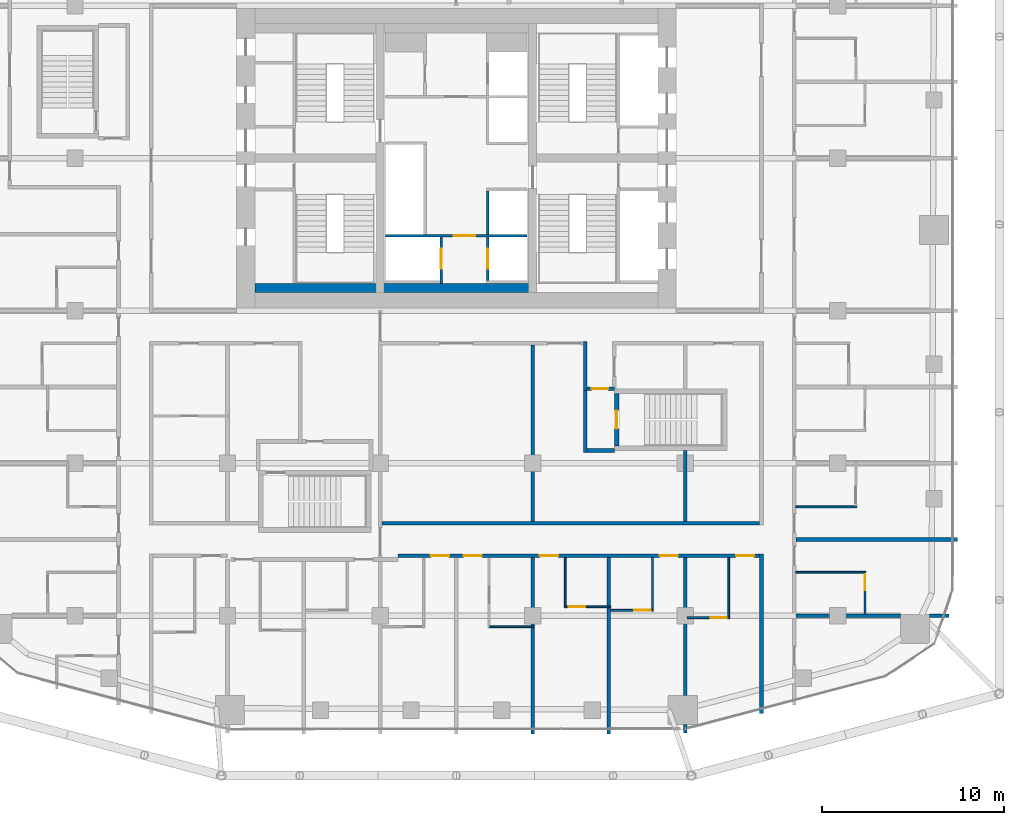
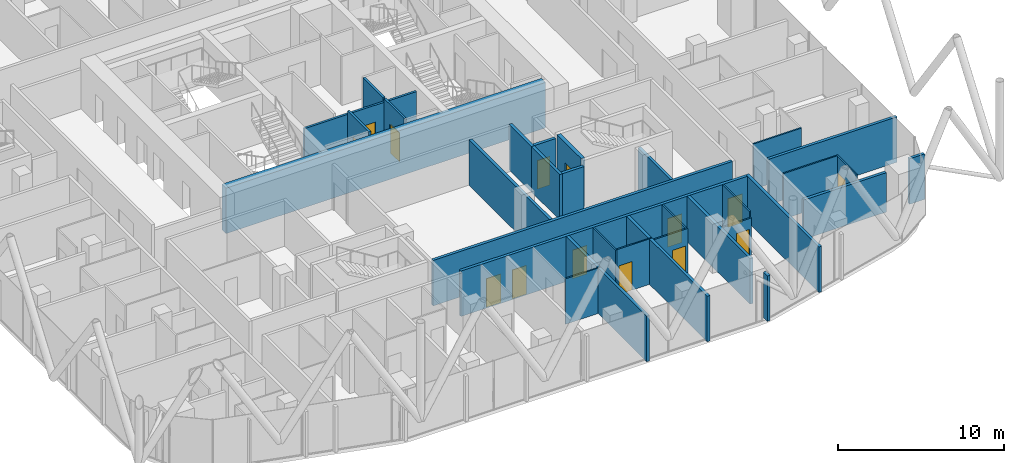
# One storey, part 26 of 33: 32 walls, 14 doors, 14 openings.
"""IFC4 building model written with IfcOpenShell, lengths in metres."""

from ifc_helpers import new_model, si_unit, direction, frame, frame_2d, origin, place, context, subcontext, project, spatial, rectangle, extrude, material, layer, layer_set, type_object, element, fill, save


model = new_model("IFC4")

# Units and contexts
model_context = context("Model", 3, precision=1e-05, world=origin(), true_north=direction((0.0, 1.0)))
body_context = subcontext(model_context, "Body", "Model", "MODEL_VIEW")
ifc_project = project(units=[si_unit("LENGTHUNIT", "METRE"), si_unit("AREAUNIT", "SQUARE_METRE"), si_unit("VOLUMEUNIT", "CUBIC_METRE"), si_unit("PLANEANGLEUNIT", "RADIAN"), si_unit("MASSUNIT", "GRAM", prefix="KILO")], contexts=[model_context])

# Site, building, storey
site_placement = place(None, origin())
site = spatial("IfcSite", under=ifc_project, at=site_placement, CompositionType="ELEMENT")
building_placement = place(site_placement, origin())
building = spatial("IfcBuilding", under=site, at=building_placement, Name="Marenta Gate Hotel Tower", CompositionType="ELEMENT")
storey_placement = place(building_placement, frame((0.0, 0.0, 108.5)))
storey = spatial("IfcBuildingStorey", under=building, at=storey_placement, Name="L23", CompositionType="ELEMENT", Elevation=108.5)

# Wall
ifc_material_1 = material(Name="Concrete C40", Category="concrete")
ifc_layer_1 = layer(ifc_material_1, 0.5)
ifc_layer_set_1 = layer_set([ifc_layer_1], Name="Concrete C40")
wall_type_1 = type_object("IfcWallType", Name="Core lining wall 500 REI 180", PredefinedType="PARTITIONING", material=ifc_layer_set_1)
wall_1_placement = place(storey_placement, frame((-11.10009765625, 1.25, 0.0), z_axis=(0.0, 0.0, 1.0), x_axis=(1.0, 0.0, 0.0)))
element("IfcWall", 1, at=wall_1_placement, inside=storey, type_object=wall_type_1, Name="L23-CP-LN-S", PredefinedType="PARTITIONING", context=body_context, shape_type="SweptSolid", body=[
    extrude(rectangle(XDim=22.2001953125, YDim=0.5, at=frame_2d((11.10009765625, 0.0))), origin(), (0.0, 0.0, 1.0), 3.340087890625),
])

# Wall, opening, door
ifc_material_2 = material(Name="Concrete blockwork", Category="masonry")
ifc_layer_2 = layer(ifc_material_2, 0.14990234375)
ifc_layer_set_2 = layer_set([ifc_layer_2], Name="Concrete blockwork")
wall_type_2 = type_object("IfcWallType", Name="Core lobby partition 150 REI 180", PredefinedType="PARTITIONING", material=ifc_layer_set_2)
wall_2_placement = place(storey_placement, frame((-3.89990234375, 4.125, 0.0), z_axis=(0.0, 0.0, 1.0), x_axis=(1.0, 0.0, 0.0)))
wall_2 = element("IfcWall", 2, at=wall_2_placement, inside=storey, type_object=wall_type_2, Name="L23-CP-CW-S", PredefinedType="PARTITIONING", context=body_context, shape_type="SweptSolid", body=[
    extrude(rectangle(XDim=7.7998046875, YDim=0.14990234375, at=frame_2d((3.89990234375, 0.0))), origin(), (0.0, 0.0, 1.0), 3.340087890625),
])
opening_1_placement = place(wall_2_placement, frame((3.75, 0.0, 0.0)))
opening_1 = element("IfcOpeningElement", 3, at=opening_1_placement, cuts=wall_2, Name="Opening FD-FFS", PredefinedType="OPENING", context=body_context, shape_type="SweptSolid", body=[
    extrude(rectangle(XDim=1.199951171875, YDim=2.10009765625, at=frame_2d((0.60009765625, 1.050048828125))), frame((0.0, 0.074951171875, 0.0), z_axis=(0.0, -1.0, 0.0), x_axis=(1.0, 0.0, 0.0)), (0.0, 0.0, 1.0), 0.14990234375),
])
ifc_material_3 = material(Name="Steel", Category="steel")
door_type_1 = type_object("IfcDoorType", Name="Core lobby door 1200x2100 FD60", OperationType="SINGLE_SWING_LEFT", PredefinedType="DOOR", material=ifc_material_3)
door_1_placement = place(opening_1_placement, origin())
door_1 = element("IfcDoor", 4, at=door_1_placement, inside=storey, type_object=door_type_1, Name="FD-FFS", OperationType="SINGLE_SWING_LEFT", OverallHeight=2.10009765625, OverallWidth=1.199951171875, PredefinedType="DOOR", context=body_context, shape_type="SweptSolid", body=[
    extrude(rectangle(XDim=1.199951171875, YDim=2.10009765625, at=frame_2d((0.60009765625, 1.050048828125))), frame((0.0, 0.02490234375, 0.0), z_axis=(0.0, -1.0, 0.0), x_axis=(1.0, 0.0, 0.0)), (0.0, 0.0, 1.0), 0.050048828125),
])
fill(opening_1, door_1)

ifc_material_4 = material(Name="Concrete C40", Category="concrete")
ifc_layer_3 = layer(ifc_material_4, 0.14990234375)
ifc_layer_set_3 = layer_set([ifc_layer_3], Name="Concrete C40")
wall_type_3 = type_object("IfcWallType", Name="Core shaft wall 150 REI 180", PredefinedType="SHEAR", material=ifc_layer_set_3)
wall_3_placement = place(storey_placement, frame((-0.824951171875, 1.5, 0.0), z_axis=(0.0, 0.0, 1.0), x_axis=(0.0, 1.0, 0.0)))
wall_3 = element("IfcWall", 5, at=wall_3_placement, inside=storey, type_object=wall_type_3, Name="L23-SHF-CW-W-ff", PredefinedType="SHEAR", context=body_context, shape_type="SweptSolid", body=[
    extrude(rectangle(XDim=2.550048828125, YDim=0.14990234375, at=frame_2d((1.27490234375, 0.0))), origin(), (0.0, 0.0, 1.0), 3.60009765625),
])
opening_2_placement = place(wall_3_placement, frame((0.800048828125, 0.0, 0.0)))
opening_2 = element("IfcOpeningElement", 6, at=opening_2_placement, cuts=wall_3, Name="Opening LD-FF1", PredefinedType="OPENING", context=body_context, shape_type="SweptSolid", body=[
    extrude(rectangle(XDim=1.10009765625, YDim=2.10009765625, at=frame_2d((0.550048828125, 1.050048828125))), frame((0.0, 0.074951171875, 0.0), z_axis=(0.0, -1.0, 0.0), x_axis=(1.0, 0.0, 0.0)), (0.0, 0.0, 1.0), 0.14990234375),
])
ifc_material_5 = material(Name="Steel", Category="steel")
door_type_2 = type_object("IfcDoorType", Name="Core lift landing door 1100x2100 E 60", OperationType="SLIDING_TO_LEFT", PredefinedType="DOOR", material=ifc_material_5)
door_2_placement = place(opening_2_placement, origin())
door_2 = element("IfcDoor", 7, at=door_2_placement, inside=storey, type_object=door_type_2, Name="LD-FF1", OperationType="SLIDING_TO_LEFT", OverallHeight=2.10009765625, OverallWidth=1.10009765625, PredefinedType="DOOR", context=body_context, shape_type="SweptSolid", body=[
    extrude(rectangle(XDim=1.10009765625, YDim=2.10009765625, at=frame_2d((0.550048828125, 1.050048828125))), frame((0.0, 0.02490234375, 0.0), z_axis=(0.0, -1.0, 0.0), x_axis=(1.0, 0.0, 0.0)), (0.0, 0.0, 1.0), 0.050048828125),
])
fill(opening_2, door_2)

wall_4_placement = place(storey_placement, frame((1.72509765625, 1.64990234375, 0.0), z_axis=(0.0, 0.0, 1.0), x_axis=(0.0, 1.0, 0.0)))
wall_4 = element("IfcWall", 8, at=wall_4_placement, inside=storey, type_object=wall_type_3, Name="L23-SHF-CE-S-ls", PredefinedType="SHEAR", context=body_context, shape_type="SweptSolid", body=[
    extrude(rectangle(XDim=2.400146484375, YDim=0.14990234375, at=frame_2d((1.2001953125, 0.0))), origin(), (0.0, 0.0, 1.0), 3.60009765625),
])
opening_3_placement = place(wall_4_placement, frame((0.64990234375, 0.0, 0.0)))
opening_3 = element("IfcOpeningElement", 9, at=opening_3_placement, cuts=wall_4, Name="Opening LD-SV1", PredefinedType="OPENING", context=body_context, shape_type="SweptSolid", body=[
    extrude(rectangle(XDim=1.10009765625, YDim=2.10009765625, at=frame_2d((0.550048828125, 1.050048828125))), frame((0.0, 0.074951171875, 0.0), z_axis=(0.0, -1.0, 0.0), x_axis=(1.0, 0.0, 0.0)), (0.0, 0.0, 1.0), 0.14990234375),
])
door_3_placement = place(opening_3_placement, origin())
door_3 = element("IfcDoor", 10, at=door_3_placement, inside=storey, type_object=door_type_2, Name="LD-SV1", OperationType="SLIDING_TO_LEFT", OverallHeight=2.10009765625, OverallWidth=1.10009765625, PredefinedType="DOOR", context=body_context, shape_type="SweptSolid", body=[
    extrude(rectangle(XDim=1.10009765625, YDim=2.10009765625, at=frame_2d((0.550048828125, 1.050048828125))), frame((0.0, 0.02490234375, 0.0), z_axis=(0.0, -1.0, 0.0), x_axis=(1.0, 0.0, 0.0)), (0.0, 0.0, 1.0), 0.050048828125),
])
fill(opening_3, door_3)

# Wall
wall_5_placement = place(storey_placement, frame((1.72509765625, 4.199951171875, 0.0), z_axis=(0.0, 0.0, 1.0), x_axis=(0.0, 1.0, 0.0)))
element("IfcWall", 11, at=wall_5_placement, inside=storey, type_object=wall_type_3, Name="L23-SHF-CE-front-1", PredefinedType="SHEAR", context=body_context, shape_type="SweptSolid", body=[
    extrude(rectangle(XDim=2.400146484375, YDim=0.14990234375, at=frame_2d((1.2001953125, 0.0))), origin(), (0.0, 0.0, 1.0), 3.60009765625),
])

# Wall, opening, door
ifc_material_6 = material(Name="Concrete C40", Category="concrete")
ifc_layer_4 = layer(ifc_material_6, 0.25)
ifc_layer_set_4 = layer_set([ifc_layer_4], Name="Concrete C40")
wall_type_4 = type_object("IfcWallType", Name="Remote stair enclosure wall 250 REI 180", PredefinedType="SHEAR", material=ifc_layer_set_4)
wall_6_placement = place(storey_placement, frame((8.824951171875, -7.449951171875, 0.10009765625), z_axis=(0.0, 0.0, 1.0), x_axis=(0.0, 1.0, 0.0)))
wall_6 = element("IfcWall", 12, at=wall_6_placement, inside=storey, type_object=wall_type_4, Name="L23-RS-Z2-2-W3", PredefinedType="SHEAR", context=body_context, shape_type="SweptSolid", body=[
    extrude(rectangle(XDim=2.89990234375, YDim=0.25, at=frame_2d((1.449951171875, 0.0))), origin(), (0.0, 0.0, 1.0), 3.599853515625),
])
opening_4_placement = place(wall_6_placement, frame((0.949951171875, 0.0, 0.0)))
opening_4 = element("IfcOpeningElement", 13, at=opening_4_placement, cuts=wall_6, Name="Opening VD", PredefinedType="OPENING", context=body_context, shape_type="SweptSolid", body=[
    extrude(rectangle(XDim=1.0, YDim=2.10009765625, at=frame_2d((0.5, 1.050048828125))), frame((0.0, 0.125, 0.0), z_axis=(0.0, -1.0, 0.0), x_axis=(1.0, 0.0, 0.0)), (0.0, 0.0, 1.0), 0.25),
])
ifc_material_7 = material(Name="Steel", Category="steel")
door_type_3 = type_object("IfcDoorType", Name="Stair vestibule door 1000x2100 FD60", OperationType="SINGLE_SWING_LEFT", PredefinedType="DOOR", material=ifc_material_7)
door_4_placement = place(opening_4_placement, origin())
door_4 = element("IfcDoor", 14, at=door_4_placement, inside=storey, type_object=door_type_3, Name="VD", OperationType="SINGLE_SWING_LEFT", OverallHeight=2.10009765625, OverallWidth=1.0, PredefinedType="DOOR", context=body_context, shape_type="SweptSolid", body=[
    extrude(rectangle(XDim=1.0, YDim=2.10009765625, at=frame_2d((0.5, 1.050048828125))), frame((0.0, 0.02490234375, 0.0), z_axis=(0.0, -1.0, 0.0), x_axis=(1.0, 0.0, 0.0)), (0.0, 0.0, 1.0), 0.050048828125),
])
fill(opening_4, door_4)

# Wall
ifc_material_8 = material(Name="Gypsum board on steel stud", Category="steel")
ifc_layer_5 = layer(ifc_material_8, 0.199951171875)
ifc_layer_set_5 = layer_set([ifc_layer_5], Name="Gypsum board on steel stud")
wall_type_5 = type_object("IfcWallType", Name="Room corridor wall 200 EI 60", PredefinedType="PARTITIONING", material=ifc_layer_set_5)
wall_7_placement = place(storey_placement, frame((16.800048828125, -22.18603515625, 0.0), z_axis=(0.0, 0.0, 1.0), x_axis=(0.0, 1.0, 0.0)))
element("IfcWall", 15, at=wall_7_placement, inside=storey, type_object=wall_type_5, Name="L23-PTN-W016", PredefinedType="PARTITIONING", context=body_context, shape_type="SweptSolid", body=[
    extrude(rectangle(XDim=8.7861328125, YDim=0.199951171875, at=frame_2d((4.39306640625, 0.0))), origin(), (0.0, 0.0, 1.0), 3.340087890625),
])

# Wall, openings, doors
wall_8_placement = place(storey_placement, frame((-3.199951171875, -13.5, 0.0), z_axis=(0.0, 0.0, 1.0), x_axis=(1.0, 0.0, 0.0)))
wall_8 = element("IfcWall", 16, at=wall_8_placement, inside=storey, type_object=wall_type_5, Name="L23-PTN-W030", PredefinedType="PARTITIONING", context=body_context, shape_type="SweptSolid", body=[
    extrude(rectangle(XDim=19.89990234375, YDim=0.199951171875, at=frame_2d((9.949951171875, 0.0))), origin(), (0.0, 0.0, 1.0), 3.340087890625),
])
opening_5_placement = place(wall_8_placement, frame((1.800048828125, 0.0, 0.0)))
opening_5 = element("IfcOpeningElement", 17, at=opening_5_placement, cuts=wall_8, Name="Opening G08-43", PredefinedType="OPENING", context=body_context, shape_type="SweptSolid", body=[
    extrude(rectangle(XDim=1.0, YDim=2.10009765625, at=frame_2d((0.5, 1.050048828125))), frame((0.0, 0.10009765625, 0.0), z_axis=(0.0, -1.0, 0.0), x_axis=(1.0, 0.0, 0.0)), (0.0, 0.0, 1.0), 0.199951171875),
])
opening_6_placement = place(wall_8_placement, frame((3.60009765625, 0.0, 0.0)))
opening_6 = element("IfcOpeningElement", 18, at=opening_6_placement, cuts=wall_8, Name="Opening G08-45", PredefinedType="OPENING", context=body_context, shape_type="SweptSolid", body=[
    extrude(rectangle(XDim=1.0, YDim=2.10009765625, at=frame_2d((0.5, 1.050048828125))), frame((0.0, 0.10009765625, 0.0), z_axis=(0.0, -1.0, 0.0), x_axis=(1.0, 0.0, 0.0)), (0.0, 0.0, 1.0), 0.199951171875),
])
opening_7_placement = place(wall_8_placement, frame((7.800048828125, 0.0, 0.0)))
opening_7 = element("IfcOpeningElement", 19, at=opening_7_placement, cuts=wall_8, Name="Opening G08-47", PredefinedType="OPENING", context=body_context, shape_type="SweptSolid", body=[
    extrude(rectangle(XDim=1.0, YDim=2.10009765625, at=frame_2d((0.5, 1.050048828125))), frame((0.0, 0.10009765625, 0.0), z_axis=(0.0, -1.0, 0.0), x_axis=(1.0, 0.0, 0.0)), (0.0, 0.0, 1.0), 0.199951171875),
])
opening_8_placement = place(wall_8_placement, frame((14.39990234375, 0.0, 0.0)))
opening_8 = element("IfcOpeningElement", 20, at=opening_8_placement, cuts=wall_8, Name="Opening G08-49", PredefinedType="OPENING", context=body_context, shape_type="SweptSolid", body=[
    extrude(rectangle(XDim=1.0, YDim=2.10009765625, at=frame_2d((0.5, 1.050048828125))), frame((0.0, 0.10009765625, 0.0), z_axis=(0.0, -1.0, 0.0), x_axis=(1.0, 0.0, 0.0)), (0.0, 0.0, 1.0), 0.199951171875),
])
opening_9_placement = place(wall_8_placement, frame((18.60009765625, 0.0, 0.0)))
opening_9 = element("IfcOpeningElement", 21, at=opening_9_placement, cuts=wall_8, Name="Opening G08-51", PredefinedType="OPENING", context=body_context, shape_type="SweptSolid", body=[
    extrude(rectangle(XDim=1.0, YDim=2.10009765625, at=frame_2d((0.5, 1.050048828125))), frame((0.0, 0.10009765625, 0.0), z_axis=(0.0, -1.0, 0.0), x_axis=(1.0, 0.0, 0.0)), (0.0, 0.0, 1.0), 0.199951171875),
])
ifc_material_9 = material(Name="Timber door leaf", Category="wood")
door_type_4 = type_object("IfcDoorType", Name="Guest room door 1000x2100 EI 30", OperationType="NOTDEFINED", PredefinedType="DOOR", material=ifc_material_9)
door_5_placement = place(opening_5_placement, origin())
door_5 = element("IfcDoor", 22, at=door_5_placement, inside=storey, type_object=door_type_4, Name="L23-PD-D043", OperationType="SINGLE_SWING_LEFT", OverallHeight=2.10009765625, OverallWidth=1.0, PredefinedType="DOOR", context=body_context, shape_type="SweptSolid", body=[
    extrude(rectangle(XDim=1.0, YDim=2.10009765625, at=frame_2d((0.5, 1.050048828125))), frame((0.0, 0.02490234375, 0.0), z_axis=(0.0, -1.0, 0.0), x_axis=(1.0, 0.0, 0.0)), (0.0, 0.0, 1.0), 0.050048828125),
])
fill(opening_5, door_5)
door_6_placement = place(opening_6_placement, origin())
door_6 = element("IfcDoor", 23, at=door_6_placement, inside=storey, type_object=door_type_4, Name="L23-PD-D045", OperationType="SINGLE_SWING_LEFT", OverallHeight=2.10009765625, OverallWidth=1.0, PredefinedType="DOOR", context=body_context, shape_type="SweptSolid", body=[
    extrude(rectangle(XDim=1.0, YDim=2.10009765625, at=frame_2d((0.5, 1.050048828125))), frame((0.0, 0.02490234375, 0.0), z_axis=(0.0, -1.0, 0.0), x_axis=(1.0, 0.0, 0.0)), (0.0, 0.0, 1.0), 0.050048828125),
])
fill(opening_6, door_6)
door_7_placement = place(opening_7_placement, origin())
door_7 = element("IfcDoor", 24, at=door_7_placement, inside=storey, type_object=door_type_4, Name="L23-PD-D047", OperationType="SINGLE_SWING_LEFT", OverallHeight=2.10009765625, OverallWidth=1.0, PredefinedType="DOOR", context=body_context, shape_type="SweptSolid", body=[
    extrude(rectangle(XDim=1.0, YDim=2.10009765625, at=frame_2d((0.5, 1.050048828125))), frame((0.0, 0.02490234375, 0.0), z_axis=(0.0, -1.0, 0.0), x_axis=(1.0, 0.0, 0.0)), (0.0, 0.0, 1.0), 0.050048828125),
])
fill(opening_7, door_7)
door_8_placement = place(opening_8_placement, origin())
door_8 = element("IfcDoor", 25, at=door_8_placement, inside=storey, type_object=door_type_4, Name="L23-PD-D049", OperationType="SINGLE_SWING_LEFT", OverallHeight=2.10009765625, OverallWidth=1.0, PredefinedType="DOOR", context=body_context, shape_type="SweptSolid", body=[
    extrude(rectangle(XDim=1.0, YDim=2.10009765625, at=frame_2d((0.5, 1.050048828125))), frame((0.0, 0.02490234375, 0.0), z_axis=(0.0, -1.0, 0.0), x_axis=(1.0, 0.0, 0.0)), (0.0, 0.0, 1.0), 0.050048828125),
])
fill(opening_8, door_8)
door_9_placement = place(opening_9_placement, origin())
door_9 = element("IfcDoor", 26, at=door_9_placement, inside=storey, type_object=door_type_4, Name="L23-PD-D051", OperationType="SINGLE_SWING_LEFT", OverallHeight=2.10009765625, OverallWidth=1.0, PredefinedType="DOOR", context=body_context, shape_type="SweptSolid", body=[
    extrude(rectangle(XDim=1.0, YDim=2.10009765625, at=frame_2d((0.5, 1.050048828125))), frame((0.0, 0.02490234375, 0.0), z_axis=(0.0, -1.0, 0.0), x_axis=(1.0, 0.0, 0.0)), (0.0, 0.0, 1.0), 0.050048828125),
])
fill(opening_9, door_9)

# Walls
wall_9_placement = place(storey_placement, frame((-4.10009765625, -11.699951171875, 0.0), z_axis=(0.0, 0.0, 1.0), x_axis=(1.0, 0.0, 0.0)))
element("IfcWall", 27, at=wall_9_placement, inside=storey, type_object=wall_type_5, Name="L23-PTN-W038", PredefinedType="PARTITIONING", context=body_context, shape_type="SweptSolid", body=[
    extrude(rectangle(XDim=20.800048828125, YDim=0.199951171875, at=frame_2d((10.39990234375, 0.0))), origin(), (0.0, 0.0, 1.0), 3.340087890625),
])
wall_10_placement = place(storey_placement, frame((7.10009765625, -4.39990234375, 0.0), z_axis=(0.0, 0.0, 1.0), x_axis=(0.0, 1.0, 0.0)))
element("IfcWall", 28, at=wall_10_placement, inside=storey, type_object=wall_type_5, Name="L23-PTN-W052", PredefinedType="PARTITIONING", context=body_context, shape_type="SweptSolid", body=[
    extrude(rectangle(XDim=2.699951171875, YDim=0.199951171875, at=frame_2d((1.35009765625, 0.0))), origin(), (0.0, 0.0, 1.0), 3.340087890625),
])

# Wall, opening, door
ifc_material_10 = material(Name="Concrete blockwork", Category="masonry")
ifc_layer_6 = layer(ifc_material_10, 0.199951171875)
ifc_layer_set_6 = layer_set([ifc_layer_6], Name="Concrete blockwork")
wall_type_6 = type_object("IfcWallType", Name="Room corridor wall 200 REI 180", PredefinedType="PARTITIONING", material=ifc_layer_set_6)
wall_11_placement = place(storey_placement, frame((7.199951171875, -4.300048828125, 0.0), z_axis=(0.0, 0.0, 1.0), x_axis=(1.0, 0.0, 0.0)))
wall_11 = element("IfcWall", 29, at=wall_11_placement, inside=storey, type_object=wall_type_6, Name="L23-PTN-W057", PredefinedType="PARTITIONING", context=body_context, shape_type="SweptSolid", body=[
    extrude(rectangle(XDim=1.5, YDim=0.199951171875, at=frame_2d((0.75, 0.0))), origin(), (0.0, 0.0, 1.0), 3.340087890625),
])
opening_10_placement = place(wall_11_placement, frame((0.25, 0.0, 0.0)))
opening_10 = element("IfcOpeningElement", 30, at=opening_10_placement, cuts=wall_11, Name="Opening G08-68", PredefinedType="OPENING", context=body_context, shape_type="SweptSolid", body=[
    extrude(rectangle(XDim=0.89990234375, YDim=2.10009765625, at=frame_2d((0.449951171875, 1.050048828125))), frame((0.0, 0.10009765625, 0.0), z_axis=(0.0, -1.0, 0.0), x_axis=(1.0, 0.0, 0.0)), (0.0, 0.0, 1.0), 0.199951171875),
])
ifc_material_11 = material(Name="Hollow steel door set", Category="steel")
door_type_5 = type_object("IfcDoorType", Name="Stair vestibule door 900x2100 EI 60", OperationType="NOTDEFINED", PredefinedType="DOOR", material=ifc_material_11)
door_10_placement = place(opening_10_placement, origin())
door_10 = element("IfcDoor", 31, at=door_10_placement, inside=storey, type_object=door_type_5, Name="L23-PD-D068", OperationType="SINGLE_SWING_RIGHT", OverallHeight=2.10009765625, OverallWidth=0.89990234375, PredefinedType="DOOR", context=body_context, shape_type="SweptSolid", body=[
    extrude(rectangle(XDim=0.89990234375, YDim=2.10009765625, at=frame_2d((0.449951171875, 1.050048828125))), frame((0.0, 0.02490234375, 0.0), z_axis=(0.0, -1.0, 0.0), x_axis=(1.0, 0.0, 0.0)), (0.0, 0.0, 1.0), 0.050048828125),
])
fill(opening_10, door_10)

ifc_material_12 = material(Name="Gypsum board on steel stud", Category="steel")
ifc_layer_7 = layer(ifc_material_12, 0.10009765625)
ifc_layer_set_7 = layer_set([ifc_layer_7], Name="Gypsum board on steel stud")
wall_type_7 = type_object("IfcWallType", Name="Room partition 100", PredefinedType="PARTITIONING", material=ifc_layer_set_7)
wall_12_placement = place(storey_placement, frame((22.5, -16.699951171875, 0.0), z_axis=(0.0, 0.0, 1.0), x_axis=(0.0, 1.0, 0.0)))
wall_12 = element("IfcWall", 32, at=wall_12_placement, inside=storey, type_object=wall_type_7, Name="L23-PTN-W001", PredefinedType="PARTITIONING", context=body_context, shape_type="SweptSolid", body=[
    extrude(rectangle(XDim=2.349853515625, YDim=0.10009765625, at=frame_2d((1.1748046875, 0.0))), origin(), (0.0, 0.0, 1.0), 3.340087890625),
])
opening_11_placement = place(wall_12_placement, frame((1.300048828125, 0.0, 0.0)))
opening_11 = element("IfcOpeningElement", 33, at=opening_11_placement, cuts=wall_12, Name="Opening G08-09", PredefinedType="OPENING", context=body_context, shape_type="SweptSolid", body=[
    extrude(rectangle(XDim=0.89990234375, YDim=2.10009765625, at=frame_2d((0.449951171875, 1.050048828125))), frame((0.0, 0.050048828125, 0.0), z_axis=(0.0, -1.0, 0.0), x_axis=(1.0, 0.0, 0.0)), (0.0, 0.0, 1.0), 0.10009765625),
])
ifc_material_13 = material(Name="Timber door leaf", Category="wood")
door_type_6 = type_object("IfcDoorType", Name="Guest bathroom door 900x2100", OperationType="NOTDEFINED", PredefinedType="DOOR", material=ifc_material_13)
door_11_placement = place(opening_11_placement, origin())
door_11 = element("IfcDoor", 34, at=door_11_placement, inside=storey, type_object=door_type_6, Name="L23-PD-D009", OperationType="SINGLE_SWING_RIGHT", OverallHeight=2.10009765625, OverallWidth=0.89990234375, PredefinedType="DOOR", context=body_context, shape_type="SweptSolid", body=[
    extrude(rectangle(XDim=0.89990234375, YDim=2.10009765625, at=frame_2d((0.449951171875, 1.050048828125))), frame((0.0, 0.02490234375, 0.0), z_axis=(0.0, -1.0, 0.0), x_axis=(1.0, 0.0, 0.0)), (0.0, 0.0, 1.0), 0.050048828125),
])
fill(opening_11, door_11)

# Wall
wall_13_placement = place(storey_placement, frame((1.85009765625, -17.39990234375, 0.0), z_axis=(0.0, 0.0, 1.0), x_axis=(1.0, 0.0, 0.0)))
element("IfcWall", 35, at=wall_13_placement, inside=storey, type_object=wall_type_7, Name="L23-PTN-W014", PredefinedType="PARTITIONING", context=body_context, shape_type="SweptSolid", body=[
    extrude(rectangle(XDim=2.449951171875, YDim=0.10009765625, at=frame_2d((1.22509765625, 0.0))), origin(), (0.0, 0.0, 1.0), 3.340087890625),
])

# Wall, opening, door
wall_14_placement = place(storey_placement, frame((12.699951171875, -16.89990234375, 0.0), z_axis=(0.0, 0.0, 1.0), x_axis=(1.0, 0.0, 0.0)))
wall_14 = element("IfcWall", 36, at=wall_14_placement, inside=storey, type_object=wall_type_7, Name="L23-PTN-W015", PredefinedType="PARTITIONING", context=body_context, shape_type="SweptSolid", body=[
    extrude(rectangle(XDim=2.35009765625, YDim=0.10009765625, at=frame_2d((1.175048828125, 0.0))), origin(), (0.0, 0.0, 1.0), 2.889892578125),
])
opening_12_placement = place(wall_14_placement, frame((1.300048828125, 0.0, 0.0)))
opening_12 = element("IfcOpeningElement", 37, at=opening_12_placement, cuts=wall_14, Name="Opening G08-52", PredefinedType="OPENING", context=body_context, shape_type="SweptSolid", body=[
    extrude(rectangle(XDim=0.89990234375, YDim=2.10009765625, at=frame_2d((0.449951171875, 1.050048828125))), frame((0.0, 0.050048828125, 0.0), z_axis=(0.0, -1.0, 0.0), x_axis=(1.0, 0.0, 0.0)), (0.0, 0.0, 1.0), 0.10009765625),
])
door_12_placement = place(opening_12_placement, origin())
door_12 = element("IfcDoor", 38, at=door_12_placement, inside=storey, type_object=door_type_6, Name="L23-PD-D052", OperationType="SINGLE_SWING_RIGHT", OverallHeight=2.10009765625, OverallWidth=0.89990234375, PredefinedType="DOOR", context=body_context, shape_type="SweptSolid", body=[
    extrude(rectangle(XDim=0.89990234375, YDim=2.10009765625, at=frame_2d((0.449951171875, 1.050048828125))), frame((0.0, 0.02490234375, 0.0), z_axis=(0.0, -1.0, 0.0), x_axis=(1.0, 0.0, 0.0)), (0.0, 0.0, 1.0), 0.050048828125),
])
fill(opening_12, door_12)

wall_15_placement = place(storey_placement, frame((8.5, -16.5, 0.0), z_axis=(0.0, 0.0, 1.0), x_axis=(1.0, 0.0, 0.0)))
wall_15 = element("IfcWall", 39, at=wall_15_placement, inside=storey, type_object=wall_type_7, Name="L23-PTN-W022", PredefinedType="PARTITIONING", context=body_context, shape_type="SweptSolid", body=[
    extrude(rectangle(XDim=2.35009765625, YDim=0.10009765625, at=frame_2d((1.175048828125, 0.0))), origin(), (0.0, 0.0, 1.0), 3.340087890625),
])
opening_13_placement = place(wall_15_placement, frame((1.300048828125, 0.0, 0.0)))
opening_13 = element("IfcOpeningElement", 40, at=opening_13_placement, cuts=wall_15, Name="Opening G08-50", PredefinedType="OPENING", context=body_context, shape_type="SweptSolid", body=[
    extrude(rectangle(XDim=0.89990234375, YDim=2.10009765625, at=frame_2d((0.449951171875, 1.050048828125))), frame((0.0, 0.050048828125, 0.0), z_axis=(0.0, -1.0, 0.0), x_axis=(1.0, 0.0, 0.0)), (0.0, 0.0, 1.0), 0.10009765625),
])
door_13_placement = place(opening_13_placement, origin())
door_13 = element("IfcDoor", 41, at=door_13_placement, inside=storey, type_object=door_type_6, Name="L23-PD-D050", OperationType="SINGLE_SWING_RIGHT", OverallHeight=2.10009765625, OverallWidth=0.89990234375, PredefinedType="DOOR", context=body_context, shape_type="SweptSolid", body=[
    extrude(rectangle(XDim=0.89990234375, YDim=2.10009765625, at=frame_2d((0.449951171875, 1.050048828125))), frame((0.0, 0.02490234375, 0.0), z_axis=(0.0, -1.0, 0.0), x_axis=(1.0, 0.0, 0.0)), (0.0, 0.0, 1.0), 0.050048828125),
])
fill(opening_13, door_13)

wall_16_placement = place(storey_placement, frame((6.050048828125, -16.300048828125, 0.0), z_axis=(0.0, 0.0, 1.0), x_axis=(1.0, 0.0, 0.0)))
wall_16 = element("IfcWall", 42, at=wall_16_placement, inside=storey, type_object=wall_type_7, Name="L23-PTN-W023", PredefinedType="PARTITIONING", context=body_context, shape_type="SweptSolid", body=[
    extrude(rectangle(XDim=2.449951171875, YDim=0.10009765625, at=frame_2d((1.22509765625, 0.0))), origin(), (0.0, 0.0, 1.0), 3.340087890625),
])
opening_14_placement = place(wall_16_placement, frame((0.14990234375, 0.0, 0.0)))
opening_14 = element("IfcOpeningElement", 43, at=opening_14_placement, cuts=wall_16, Name="Opening G08-48", PredefinedType="OPENING", context=body_context, shape_type="SweptSolid", body=[
    extrude(rectangle(XDim=0.89990234375, YDim=2.10009765625, at=frame_2d((0.449951171875, 1.050048828125))), frame((0.0, 0.050048828125, 0.0), z_axis=(0.0, -1.0, 0.0), x_axis=(1.0, 0.0, 0.0)), (0.0, 0.0, 1.0), 0.10009765625),
])
door_14_placement = place(opening_14_placement, origin())
door_14 = element("IfcDoor", 44, at=door_14_placement, inside=storey, type_object=door_type_6, Name="L23-PD-D048", OperationType="SINGLE_SWING_LEFT", OverallHeight=2.10009765625, OverallWidth=0.89990234375, PredefinedType="DOOR", context=body_context, shape_type="SweptSolid", body=[
    extrude(rectangle(XDim=0.89990234375, YDim=2.10009765625, at=frame_2d((0.449951171875, 1.050048828125))), frame((0.0, 0.02490234375, 0.0), z_axis=(0.0, -1.0, 0.0), x_axis=(1.0, 0.0, 0.0)), (0.0, 0.0, 1.0), 0.050048828125),
])
fill(opening_14, door_14)

# Walls
wall_17_placement = place(storey_placement, frame((15.0, -16.85009765625, 0.0), z_axis=(0.0, 0.0, 1.0), x_axis=(0.0, 1.0, 0.0)))
element("IfcWall", 45, at=wall_17_placement, inside=storey, type_object=wall_type_7, Name="L23-PTN-W024", PredefinedType="PARTITIONING", context=body_context, shape_type="SweptSolid", body=[
    extrude(rectangle(XDim=3.25, YDim=0.10009765625, at=frame_2d((1.625, 0.0))), origin(), (0.0, 0.0, 1.0), 3.340087890625),
])
wall_18_placement = place(storey_placement, frame((18.699951171875, -14.39990234375, 0.0), z_axis=(0.0, 0.0, 1.0), x_axis=(1.0, 0.0, 0.0)))
element("IfcWall", 46, at=wall_18_placement, inside=storey, type_object=wall_type_7, Name="L23-PTN-W027", PredefinedType="PARTITIONING", context=body_context, shape_type="SweptSolid", body=[
    extrude(rectangle(XDim=3.75, YDim=0.10009765625, at=frame_2d((1.875, 0.0))), origin(), (0.0, 0.0, 1.0), 3.340087890625),
])
wall_19_placement = place(storey_placement, frame((10.800048828125, -16.449951171875, 0.0), z_axis=(0.0, 0.0, 1.0), x_axis=(0.0, 1.0, 0.0)))
element("IfcWall", 47, at=wall_19_placement, inside=storey, type_object=wall_type_7, Name="L23-PTN-W039", PredefinedType="PARTITIONING", context=body_context, shape_type="SweptSolid", body=[
    extrude(rectangle(XDim=2.849853515625, YDim=0.10009765625, at=frame_2d((1.4248046875, 0.0))), origin(), (0.0, 0.0, 1.0), 3.340087890625),
])
wall_20_placement = place(storey_placement, frame((18.699951171875, -10.800048828125, 0.0), z_axis=(0.0, 0.0, 1.0), x_axis=(1.0, 0.0, 0.0)))
element("IfcWall", 48, at=wall_20_placement, inside=storey, type_object=wall_type_7, Name="L23-PTN-W041", PredefinedType="PARTITIONING", context=body_context, shape_type="SweptSolid", body=[
    extrude(rectangle(XDim=3.35009765625, YDim=0.10009765625, at=frame_2d((1.675048828125, 0.0))), origin(), (0.0, 0.0, 1.0), 3.340087890625),
])
wall_21_placement = place(storey_placement, frame((6.0, -16.35009765625, 0.0), z_axis=(0.0, 0.0, 1.0), x_axis=(0.0, 1.0, 0.0)))
element("IfcWall", 49, at=wall_21_placement, inside=storey, type_object=wall_type_7, Name="L23-PTN-W055", PredefinedType="PARTITIONING", context=body_context, shape_type="SweptSolid", body=[
    extrude(rectangle(XDim=2.75, YDim=0.10009765625, at=frame_2d((1.375, 0.0))), origin(), (0.0, 0.0, 1.0), 3.340087890625),
])
ifc_material_14 = material(Name="Gypsum board on steel stud", Category="steel")
ifc_layer_8 = layer(ifc_material_14, 0.199951171875)
ifc_layer_set_8 = layer_set([ifc_layer_8], Name="Gypsum board on steel stud")
wall_type_8 = type_object("IfcWallType", Name="Room party wall 200 EI 60", PredefinedType="PARTITIONING", material=ifc_layer_set_8)
wall_22_placement = place(storey_placement, frame((18.699951171875, -16.800048828125, 0.0), z_axis=(0.0, 0.0, 1.0), x_axis=(1.0, 0.0, 0.0)))
element("IfcWall", 50, at=wall_22_placement, inside=storey, type_object=wall_type_8, Name="L23-PTN-W020", PredefinedType="PARTITIONING", context=body_context, shape_type="SweptSolid", body=[
    extrude(rectangle(XDim=5.762939453125, YDim=0.199951171875, at=frame_2d((2.88134765625, 0.0))), origin(), (0.0, 0.0, 1.0), 2.889892578125),
])
wall_23_placement = place(storey_placement, frame((26.06298828125, -16.800048828125, 0.0), z_axis=(0.0, 0.0, 1.0), x_axis=(1.0, 0.0, 0.0)))
element("IfcWall", 51, at=wall_23_placement, inside=storey, type_object=wall_type_8, Name="L23-PTN-W131", PredefinedType="PARTITIONING", context=body_context, shape_type="SweptSolid", body=[
    extrude(rectangle(XDim=1.049072265625, YDim=0.199951171875, at=frame_2d((0.5244140625, 0.0))), origin(), (0.0, 0.0, 1.0), 3.340087890625),
])
wall_24_placement = place(storey_placement, frame((12.60009765625, -23.26611328125, 0.0), z_axis=(0.0, 0.0, 1.0), x_axis=(0.0, 1.0, 0.0)))
element("IfcWall", 52, at=wall_24_placement, inside=storey, type_object=wall_type_8, Name="L23-PTN-W031", PredefinedType="PARTITIONING", context=body_context, shape_type="SweptSolid", body=[
    extrude(rectangle(XDim=0.4912109375, YDim=0.199951171875, at=frame_2d((0.24560546875, 0.0))), origin(), (0.0, 0.0, 1.0), 3.340087890625),
])
wall_25_placement = place(storey_placement, frame((12.60009765625, -21.175048828125, 0.0), z_axis=(0.0, 0.0, 1.0), x_axis=(0.0, 1.0, 0.0)))
element("IfcWall", 53, at=wall_25_placement, inside=storey, type_object=wall_type_8, Name="L23-PTN-W132", PredefinedType="PARTITIONING", context=body_context, shape_type="SweptSolid", body=[
    extrude(rectangle(XDim=7.574951171875, YDim=0.199951171875, at=frame_2d((3.78759765625, 0.0))), origin(), (0.0, 0.0, 1.0), 3.340087890625),
])
wall_26_placement = place(storey_placement, frame((12.60009765625, -11.60009765625, 0.0), z_axis=(0.0, 0.0, 1.0), x_axis=(0.0, 1.0, 0.0)))
element("IfcWall", 54, at=wall_26_placement, inside=storey, type_object=wall_type_8, Name="L23-PTN-W032", PredefinedType="PARTITIONING", context=body_context, shape_type="SweptSolid", body=[
    extrude(rectangle(XDim=3.900146484375, YDim=0.199951171875, at=frame_2d((1.9501953125, 0.0))), origin(), (0.0, 0.0, 1.0), 3.340087890625),
])
wall_27_placement = place(storey_placement, frame((18.699951171875, -12.60009765625, 0.0), z_axis=(0.0, 0.0, 1.0), x_axis=(1.0, 0.0, 0.0)))
element("IfcWall", 55, at=wall_27_placement, inside=storey, type_object=wall_type_8, Name="L23-PTN-W036", PredefinedType="PARTITIONING", context=body_context, shape_type="SweptSolid", body=[
    extrude(rectangle(XDim=8.900146484375, YDim=0.199951171875, at=frame_2d((4.4501953125, 0.0))), origin(), (0.0, 0.0, 1.0), 3.340087890625),
])
for number, where, z_axis, x_axis, name in (
    (56, (8.39990234375, -23.300048828125, 0.0), (0.0, 0.0, 1.0), (0.0, 1.0, 0.0), "L23-PTN-W045"),
    (57, (4.199951171875, -23.300048828125, 0.0), (0.0, 0.0, 1.0), (0.0, 1.0, 0.0), "L23-PTN-W058"),
):
    element("IfcWall", number, at=place(storey_placement, frame(where, z_axis=z_axis, x_axis=x_axis)), inside=storey, type_object=wall_type_8, Name=name, PredefinedType="PARTITIONING", context=body_context, shape_type="SweptSolid", body=[
        extrude(rectangle(XDim=9.699951171875, YDim=0.199951171875, at=frame_2d((4.85009765625, 0.0))), origin(), (0.0, 0.0, 1.0), 3.340087890625),
    ])
wall_28_placement = place(storey_placement, frame((4.199951171875, -11.60009765625, 0.0), z_axis=(0.0, 0.0, 1.0), x_axis=(0.0, 1.0, 0.0)))
element("IfcWall", 58, at=wall_28_placement, inside=storey, type_object=wall_type_8, Name="L23-PTN-W059", PredefinedType="PARTITIONING", context=body_context, shape_type="SweptSolid", body=[
    extrude(rectangle(XDim=9.7001953125, YDim=0.199951171875, at=frame_2d((4.85009765625, 0.0))), origin(), (0.0, 0.0, 1.0), 3.340087890625),
])
ifc_material_15 = material(Name="Concrete blockwork", Category="masonry")
ifc_layer_9 = layer(ifc_material_15, 0.199951171875)
ifc_layer_set_9 = layer_set([ifc_layer_9], Name="Concrete blockwork")
wall_type_9 = type_object("IfcWallType", Name="Room party wall 200 REI 180", PredefinedType="PARTITIONING", material=ifc_layer_set_9)
wall_29_placement = place(storey_placement, frame((7.199951171875, -7.699951171875, 0.0), z_axis=(0.0, 0.0, 1.0), x_axis=(1.0, 0.0, 0.0)))
element("IfcWall", 59, at=wall_29_placement, inside=storey, type_object=wall_type_9, Name="L23-PTN-W048", PredefinedType="PARTITIONING", context=body_context, shape_type="SweptSolid", body=[
    extrude(rectangle(XDim=1.5, YDim=0.199951171875, at=frame_2d((0.75, 0.0))), origin(), (0.0, 0.0, 1.0), 3.340087890625),
])
wall_30_placement = place(storey_placement, frame((7.10009765625, -7.800048828125, 0.0), z_axis=(0.0, 0.0, 1.0), x_axis=(0.0, 1.0, 0.0)))
element("IfcWall", 60, at=wall_30_placement, inside=storey, type_object=wall_type_9, Name="L23-PTN-W051", PredefinedType="PARTITIONING", context=body_context, shape_type="SweptSolid", body=[
    extrude(rectangle(XDim=3.400146484375, YDim=0.199951171875, at=frame_2d((1.7001953125, 0.0))), origin(), (0.0, 0.0, 1.0), 3.340087890625),
])

save(model, "model.ifc")
